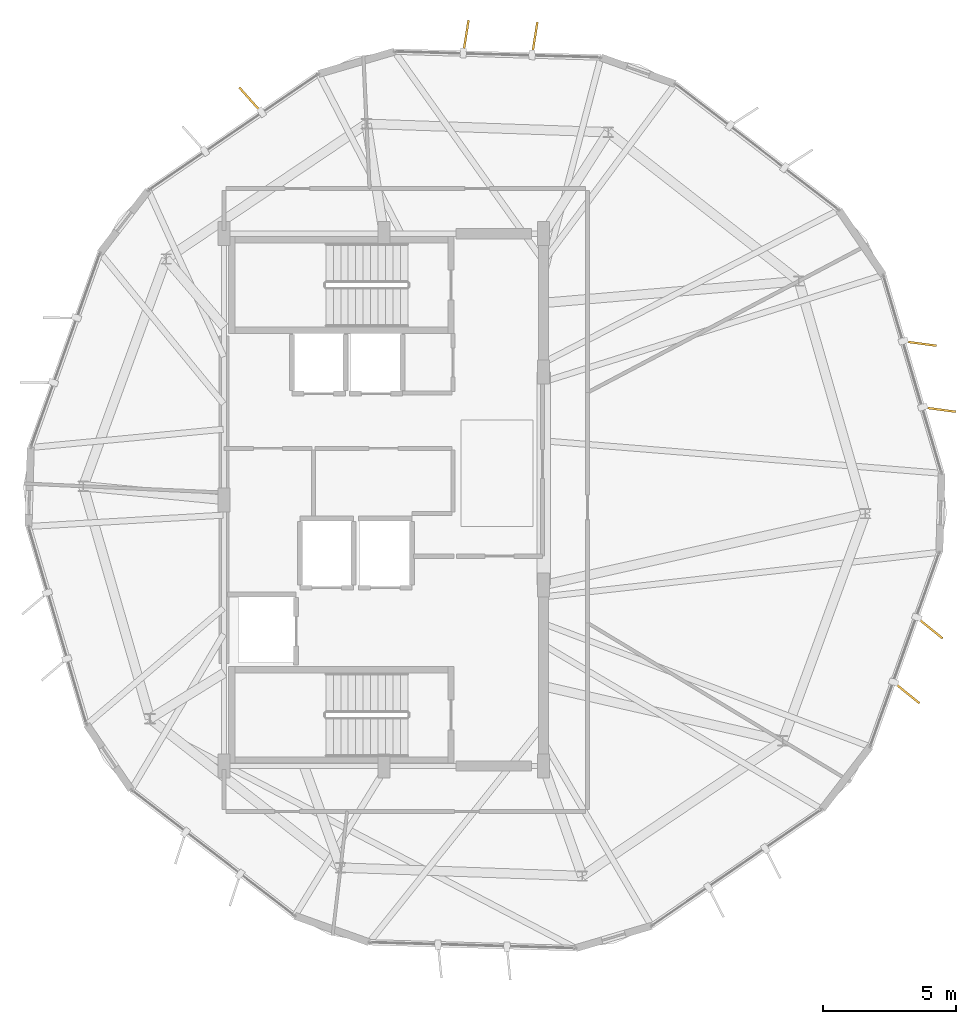
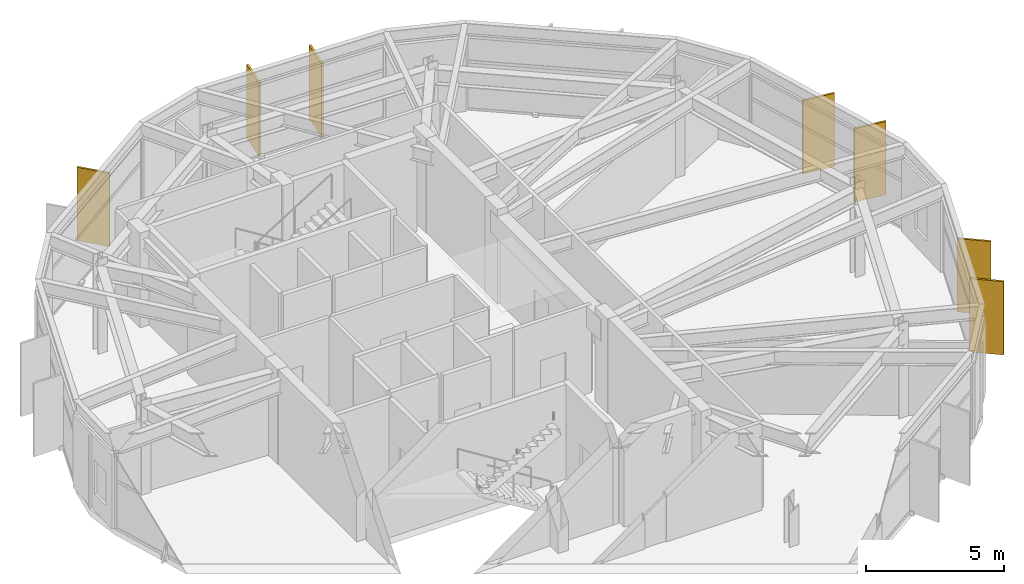
# One storey, part 20 of 20: 7 shading devices.
"""IFC4 building model written with IfcOpenShell, lengths in metres."""

from ifc_helpers import new_model, si_unit, direction, frame, origin, origin_2d, place, context, subcontext, project, spatial, rectangle, extrude, material, layer, layer_set, type_object, element, save


model = new_model("IFC4")

# Units and contexts
model_context = context("Model", 3, precision=1e-05, world=origin(), true_north=direction((0.0, 1.0)))
body_context = subcontext(model_context, "Body", "Model", "MODEL_VIEW")
ifc_project = project(units=[si_unit("LENGTHUNIT", "METRE"), si_unit("AREAUNIT", "SQUARE_METRE"), si_unit("VOLUMEUNIT", "CUBIC_METRE"), si_unit("PLANEANGLEUNIT", "RADIAN"), si_unit("MASSUNIT", "GRAM", prefix="KILO")], contexts=[model_context])

# Site, building, storey
site_placement = place(None, origin())
site = spatial("IfcSite", under=ifc_project, at=site_placement, CompositionType="ELEMENT")
building_placement = place(site_placement, origin())
building = spatial("IfcBuilding", under=site, at=building_placement, Name="Soratama Intermodal Tower", CompositionType="ELEMENT")
storey_placement = place(building_placement, frame((0.0, 0.0, 293.050048828125)))
storey = spatial("IfcBuildingStorey", under=building, at=storey_placement, Name="L74", CompositionType="ELEMENT", Elevation=293.050048828125)

# Shading devices
ifc_material = material(Name="Champagne anodised aluminium solar fin", Category="aluminium")
ifc_layer = layer(ifc_material, 0.080078125)
ifc_layer_set = layer_set([ifc_layer], Name="Champagne anodised aluminium solar fin")
shading_device_type = type_object("IfcShadingDeviceType", Name="SH-FIN-1250", PredefinedType="USERDEFINED", material=ifc_layer_set)
for number, where, z_axis, x_axis, name in (
    (1, (44.26708984375, 42.332275390625, 0.02001953125), (0.0, 0.0, 1.0), (0.157123963403, 0.987578888051, 0.0), "L74 Solar Fin F01-1"),
    (2, (41.681884765625, 42.405517578125, 0.02001953125), (0.0, 0.0, 1.0), (0.157123963403, 0.987578888051, 0.0), "L74 Solar Fin F01-2"),
    (3, (33.585205078125, 40.025390625, 0.02001953125), (0.0, 0.0, 1.0), (-0.666532470249, 0.745475999683, 0.0), "L74 Solar Fin F02-1"),
    (4, (58.2333984375, 17.75537109375, 0.02001953125), (0.0, 0.0, 1.0), (0.776706423592, -0.629862787876, 0.0), "L74 Solar Fin F08-1"),
    (5, (59.101806640625, 20.191162109375, 0.02001953125), (0.0, 0.0, 1.0), (0.776706423592, -0.629862787876, 0.0), "L74 Solar Fin F08-2"),
    (6, (59.463134765625, 28.394287109375, 0.02001953125), (0.0, 0.0, 1.0), (0.991169313675, -0.132602381688, 0.0), "L74 Solar Fin F09-1"),
    (7, (58.73388671875, 30.87548828125, 0.02001953125), (0.0, 0.0, 1.0), (0.991169313675, -0.132602381688, 0.0), "L74 Solar Fin F09-2"),
):
    element("IfcShadingDevice", number, at=place(storey_placement, frame(where, z_axis=z_axis, x_axis=x_axis)), inside=storey, type_object=shading_device_type, Name=name, ObjectType="FIN", PredefinedType="USERDEFINED", context=body_context, shape_type="SweptSolid", body=[
        extrude(rectangle(XDim=1.25, YDim=0.080078125, at=origin_2d()), origin(), (0.0, 0.0, 1.0), 3.25390625),
    ])

save(model, "model.ifc")
